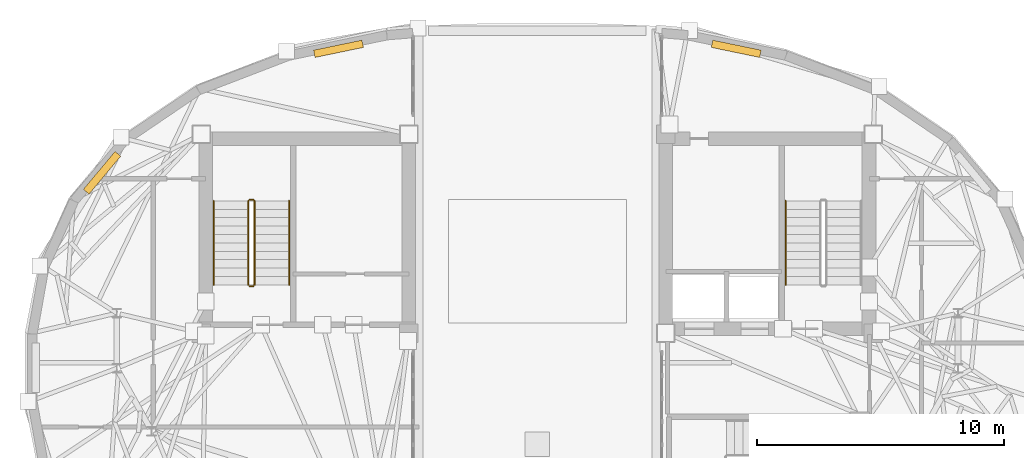
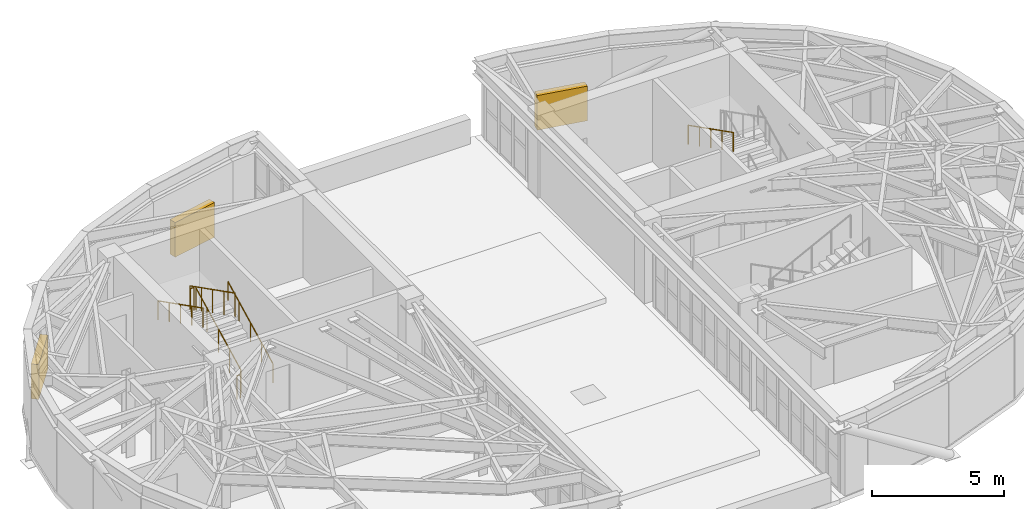
# One storey, part 12 of 13: 7 railings, 3 shading devices.
"""IFC4 building model written with IfcOpenShell, lengths in metres."""

from ifc_helpers import new_model, si_unit, direction, frame, origin, origin_2d, place, context, subcontext, project, spatial, rectangle, circle, extrude, material, type_object, element, save


model = new_model("IFC4")

# Units and contexts
model_context = context("Model", 3, precision=1e-05, world=origin(), true_north=direction((0.0, 1.0)))
body_context = subcontext(model_context, "Body", "Model", "MODEL_VIEW")
ifc_project = project(units=[si_unit("LENGTHUNIT", "METRE"), si_unit("AREAUNIT", "SQUARE_METRE"), si_unit("VOLUMEUNIT", "CUBIC_METRE"), si_unit("PLANEANGLEUNIT", "RADIAN"), si_unit("MASSUNIT", "GRAM", prefix="KILO")], contexts=[model_context])

# Site, building, storey
site_placement = place(None, origin())
site = spatial("IfcSite", under=ifc_project, at=site_placement, CompositionType="ELEMENT")
building_placement = place(site_placement, origin())
building = spatial("IfcBuilding", under=site, at=building_placement, Name="Keldmark Tower", CompositionType="ELEMENT")
storey_placement = place(building_placement, frame((0.0, 0.0, 269.199951171875)))
storey = spatial("IfcBuildingStorey", under=building, at=storey_placement, Name="L76", CompositionType="ELEMENT", Elevation=269.199951171875)

# Shading devices
ifc_material_1 = material(Name="Fluoropolymer-Coated Extruded Aluminum Stormproof Blades", Category="aluminium")
shading_device_type = type_object("IfcShadingDeviceType", Name="Mechanical Floor Acoustic Intake Louvre", PredefinedType="JALOUSIE", material=ifc_material_1)
for number, where, z_axis, x_axis, name in (
    (1, (8.05078125, 12.9091796875, 0.0), (0.0, 0.0, 1.0), (-0.979148419425, 0.203146185633, 0.0), "L76 Crown Screen Acoustic Louvre E01"),
    (2, (-17.62255859375, 7.88916015625, 0.0), (0.0, 0.0, 1.0), (-0.640686109478, -0.767802910337, 0.0), "L76 Crown Screen Acoustic Louvre W10"),
    (3, (-8.05078125, 12.9091796875, 0.0), (0.0, 0.0, 1.0), (-0.979148419425, -0.203146185633, 0.0), "L76 Crown Screen Acoustic Louvre W13"),
):
    element("IfcShadingDevice", number, at=place(storey_placement, frame(where, z_axis=z_axis, x_axis=x_axis)), inside=storey, type_object=shading_device_type, Name=name, PredefinedType="JALOUSIE", context=body_context, shape_type="SweptSolid", body=[
        extrude(rectangle(XDim=2.0, YDim=0.300048828125, at=origin_2d()), origin(), (0.0, 0.0, 1.0), 1.60009765625),
    ])

# Railings
ifc_material_2 = material(Name="Painted Steel ASTM A500 Grade B", Category="steel")
railing_type_1 = type_object("IfcRailingType", Name="Painted Steel Stair Well Guard 1100 mm", PredefinedType="GUARDRAIL", material=ifc_material_2)
railing_1_placement = place(storey_placement, frame((-11.449951171875, 3.35009765625, 0.1728515625)))
element("IfcRailing", 4, at=railing_1_placement, inside=storey, type_object=railing_type_1, Name="L76 ST1 stair guard 1", PredefinedType="GUARDRAIL", context=body_context, shape_type="SweptSolid", body=[
    extrude(circle(Radius=0.02392578125, at=origin_2d()), frame((0.0, 0.0, 1.076171875), z_axis=(0.0, 0.89154070688, 0.452940578858), x_axis=(-1.0, 0.0, 0.0)), (0.0, 0.0, 1.0), 3.8134765625),
    extrude(circle(Radius=0.02099609375, at=origin_2d()), origin(), (0.0, 0.0, 1.0), 1.052001953125),
    extrude(circle(Radius=0.02099609375, at=origin_2d()), frame((0.0, 0.85009765625, 0.431884765625)), (0.0, 0.0, 1.0), 1.052001953125),
    extrude(circle(Radius=0.02099609375, at=origin_2d()), frame((0.0, 1.699951171875, 0.86376953125)), (0.0, 0.0, 1.0), 1.052001953125),
    extrude(circle(Radius=0.02099609375, at=origin_2d()), frame((0.0, 2.5498046875, 1.29541015625)), (0.0, 0.0, 1.0), 1.052001953125),
    extrude(circle(Radius=0.02099609375, at=origin_2d()), frame((0.0, 3.39990234375, 1.727294921875)), (0.0, 0.0, 1.0), 1.052001953125),
])
railing_2_placement = place(storey_placement, frame((-11.5, 6.800048828125, 1.900146484375)))
element("IfcRailing", 5, at=railing_2_placement, inside=storey, type_object=railing_type_1, Name="L76 ST1 stair guard 2", PredefinedType="GUARDRAIL", context=body_context, shape_type="SweptSolid", body=[
    extrude(circle(Radius=0.02392578125, at=origin_2d()), frame((0.0, 0.0, 1.076171875), z_axis=(-1.0, 0.0, 0.0), x_axis=(0.0, -1.0, 0.0)), (0.0, 0.0, 1.0), 0.14990234375),
    extrude(circle(Radius=0.02099609375, at=origin_2d()), origin(), (0.0, 0.0, 1.0), 1.052001953125),
    extrude(circle(Radius=0.02099609375, at=origin_2d()), frame((-0.14990234375, 0.0, 0.0)), (0.0, 0.0, 1.0), 1.052001953125),
])
railing_3_placement = place(storey_placement, frame((-11.699951171875, 6.75, 2.07275390625)))
element("IfcRailing", 6, at=railing_3_placement, inside=storey, type_object=railing_type_1, Name="L76 ST1 stair guard 3", PredefinedType="GUARDRAIL", context=body_context, shape_type="SweptSolid", body=[
    extrude(circle(Radius=0.02392578125, at=origin_2d()), frame((0.0, 0.0, 1.076171875), z_axis=(0.0, -0.89154070688, 0.452940578858), x_axis=(1.0, 0.0, 0.0)), (0.0, 0.0, 1.0), 3.8134765625),
    extrude(circle(Radius=0.02099609375, at=origin_2d()), origin(), (0.0, 0.0, 1.0), 1.052001953125),
    extrude(circle(Radius=0.02099609375, at=origin_2d()), frame((0.0, -0.85009765625, 0.431884765625)), (0.0, 0.0, 1.0), 1.052001953125),
    extrude(circle(Radius=0.02099609375, at=origin_2d()), frame((0.0, -1.699951171875, 0.86376953125)), (0.0, 0.0, 1.0), 1.052001953125),
    extrude(circle(Radius=0.02099609375, at=origin_2d()), frame((0.0, -2.5498046875, 1.29541015625)), (0.0, 0.0, 1.0), 1.052001953125),
    extrude(circle(Radius=0.02099609375, at=origin_2d()), frame((0.0, -3.39990234375, 1.727294921875)), (0.0, 0.0, 1.0), 1.052001953125),
])
railing_4_placement = place(storey_placement, frame((-11.5, 3.300048828125, 0.0)))
element("IfcRailing", 7, at=railing_4_placement, inside=storey, type_object=railing_type_1, Name="L76 ST1 stair guard 4", PredefinedType="GUARDRAIL", context=body_context, shape_type="SweptSolid", body=[
    extrude(circle(Radius=0.02392578125, at=origin_2d()), frame((0.0, 0.0, 1.076171875), z_axis=(-1.0, 0.0, 0.0), x_axis=(0.0, -1.0, 0.0)), (0.0, 0.0, 1.0), 0.14990234375),
    extrude(circle(Radius=0.02099609375, at=origin_2d()), origin(), (0.0, 0.0, 1.0), 1.052001953125),
    extrude(circle(Radius=0.02099609375, at=origin_2d()), frame((-0.14990234375, 0.0, 0.0)), (0.0, 0.0, 1.0), 1.052001953125),
])
ifc_material_3 = material(Name="Stainless Steel AISI 316L", Category="steel")
railing_type_2 = type_object("IfcRailingType", Name="Stainless Steel Stair Handrail 900 mm", PredefinedType="HANDRAIL", material=ifc_material_3)
railing_5_placement = place(storey_placement, frame((-10.050048828125, 3.35009765625, 0.1728515625)))
element("IfcRailing", 8, at=railing_5_placement, inside=storey, type_object=railing_type_2, Name="L76 ST1 stair handrail 1", PredefinedType="HANDRAIL", context=body_context, shape_type="SweptSolid", body=[
    extrude(circle(Radius=0.02392578125, at=origin_2d()), frame((0.0, 0.0, 0.8759765625), z_axis=(0.0, 0.89154070688, 0.452940578858), x_axis=(-1.0, 0.0, 0.0)), (0.0, 0.0, 1.0), 3.8134765625),
    extrude(circle(Radius=0.02099609375, at=origin_2d()), origin(), (0.0, 0.0, 1.0), 0.851806640625),
    extrude(circle(Radius=0.02099609375, at=origin_2d()), frame((0.0, 0.85009765625, 0.431884765625)), (0.0, 0.0, 1.0), 0.851806640625),
    extrude(circle(Radius=0.02099609375, at=origin_2d()), frame((0.0, 1.699951171875, 0.86376953125)), (0.0, 0.0, 1.0), 0.851806640625),
    extrude(circle(Radius=0.02099609375, at=origin_2d()), frame((0.0, 2.5498046875, 1.29541015625)), (0.0, 0.0, 1.0), 0.851806640625),
    extrude(circle(Radius=0.02099609375, at=origin_2d()), frame((0.0, 3.39990234375, 1.727294921875)), (0.0, 0.0, 1.0), 0.851806640625),
])
for number, where, name in (
    (9, (-13.10009765625, 6.75, 2.07275390625), "L76 ST1 stair handrail 2"),
    (10, (10.050048828125, 6.75, 2.07275390625), "L76 ST2 stair handrail 2"),
):
    element("IfcRailing", number, at=place(storey_placement, frame(where)), inside=storey, type_object=railing_type_2, Name=name, PredefinedType="HANDRAIL", context=body_context, shape_type="SweptSolid", body=[
        extrude(circle(Radius=0.02392578125, at=origin_2d()), frame((0.0, 0.0, 0.8759765625), z_axis=(0.0, -0.89154070688, 0.452940578858), x_axis=(1.0, 0.0, 0.0)), (0.0, 0.0, 1.0), 3.8134765625),
        extrude(circle(Radius=0.02099609375, at=origin_2d()), origin(), (0.0, 0.0, 1.0), 0.851806640625),
        extrude(circle(Radius=0.02099609375, at=origin_2d()), frame((0.0, -0.85009765625, 0.431884765625)), (0.0, 0.0, 1.0), 0.851806640625),
        extrude(circle(Radius=0.02099609375, at=origin_2d()), frame((0.0, -1.699951171875, 0.86376953125)), (0.0, 0.0, 1.0), 0.851806640625),
        extrude(circle(Radius=0.02099609375, at=origin_2d()), frame((0.0, -2.5498046875, 1.29541015625)), (0.0, 0.0, 1.0), 0.851806640625),
        extrude(circle(Radius=0.02099609375, at=origin_2d()), frame((0.0, -3.39990234375, 1.727294921875)), (0.0, 0.0, 1.0), 0.851806640625),
    ])

save(model, "model.ifc")
